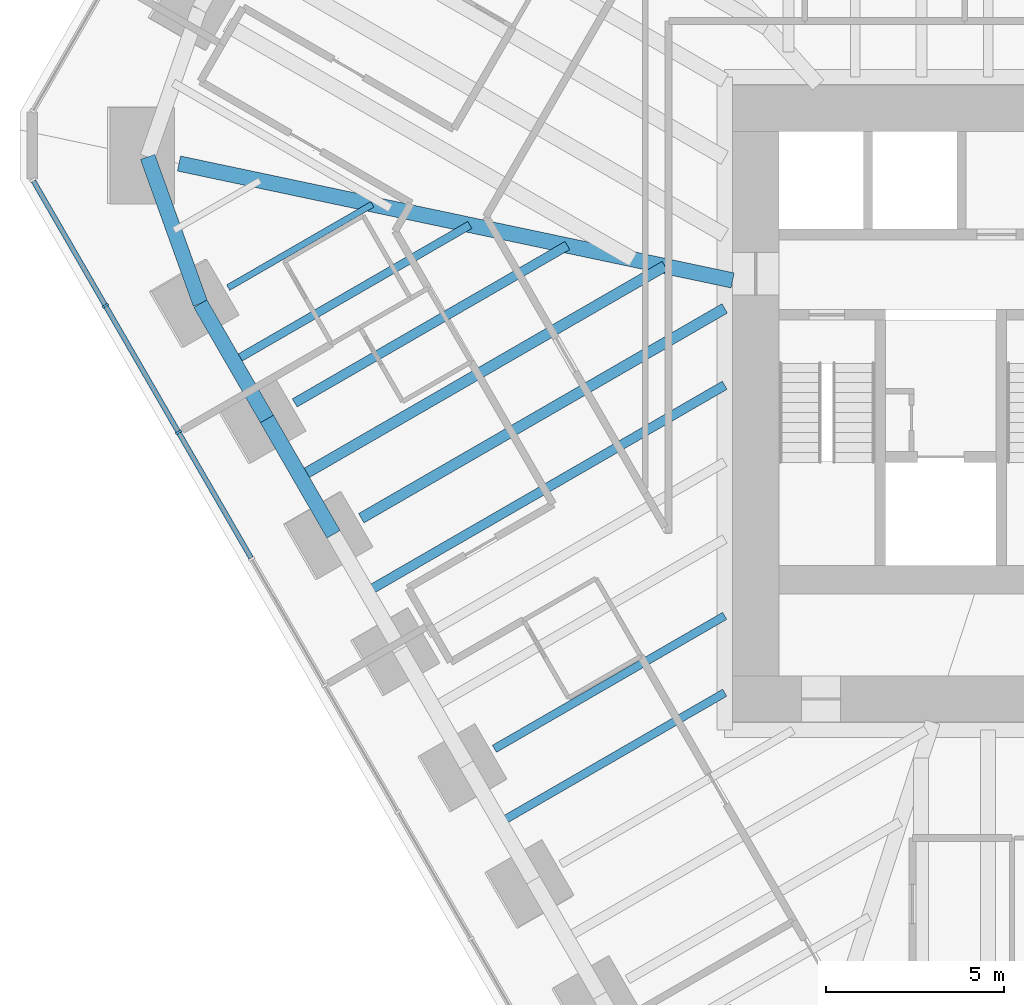
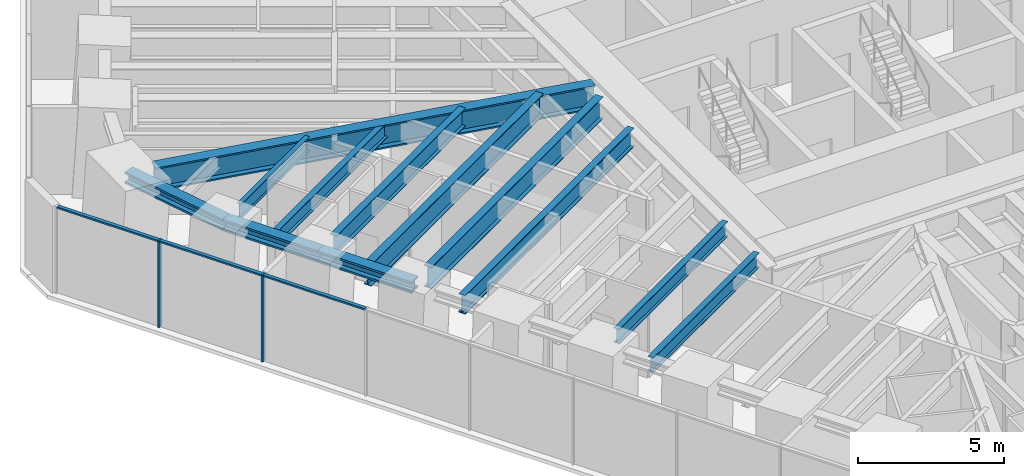
# One storey, part 3 of 17: 12 beams, 5 members, 1 element without a shape of its own.
"""IFC4 building model written with IfcOpenShell, lengths in metres."""

import ifcopenshell
import ifcopenshell.guid

model = None  # the IFC model being written
_history = None  # IfcOwnerHistory: only IFC2X3 demands one
_inside = {}  # id of a spatial element -> (the spatial element, [elements in it])
_under = {}  # id of a project, library or spatial element -> (it, [spatial elements below it])
_declared = {}  # id of a project -> (the project, [libraries it declares])
_typed = {}  # id of a type object -> (the type object, [elements of that type])
_made_of = {}  # id of a material, layer set ... -> (it, [elements and type objects made of it])


def new_model(schema):
    """Start an empty IFC model of exactly this schema.

    Asked for "IFC4X3", IfcOpenShell would pick the latest addendum, in which some entities
    have other attributes; the version numbers below select the first issue.
    IFC2X3 requires an IfcOwnerHistory on every rooted entity: one is made here for all.
    """
    global model, _history
    if schema == "IFC4X3":
        model = ifcopenshell.file(schema_version=(4, 3, 0, 0))
    else:
        model = ifcopenshell.file(schema=schema)
    _inside.clear()
    _under.clear()
    _declared.clear()
    _typed.clear()
    _made_of.clear()
    _history = None
    if model.schema == "IFC2X3":
        org = make("IfcOrganization", Name="unknown")
        user = make(
            "IfcPersonAndOrganization",
            ThePerson=make("IfcPerson", FamilyName="unknown"),
            TheOrganization=org,
        )
        app = make(
            "IfcApplication",
            ApplicationDeveloper=org,
            Version="unknown",
            ApplicationFullName="unknown",
            ApplicationIdentifier="unknown",
        )
        _history = make(
            "IfcOwnerHistory",
            OwningUser=user,
            OwningApplication=app,
            ChangeAction="ADDED",
            CreationDate=0,
        )
    return model


def make(cls, **values):
    """One entity of the class cls with the attributes given. An attribute that is None is left unset."""
    return model.create_entity(
        cls, **{name: value for name, value in values.items() if value is not None}
    )


def rooted(cls, **values):
    """An entity with a GlobalId (a new one), such as an element, a storey or a relation."""
    return make(cls, GlobalId=ifcopenshell.guid.new(), OwnerHistory=_history, **values)


def si_unit(unit_type, name, prefix=None):
    """IfcSIUnit, for example si_unit("LENGTHUNIT", "METRE", prefix="MILLI")."""
    return make("IfcSIUnit", UnitType=unit_type, Prefix=prefix, Name=name)


def assignment(units):
    """IfcUnitAssignment: the units of a project."""
    return None if units is None else make("IfcUnitAssignment", Units=units)


def point(xyz):
    """IfcCartesianPoint."""
    return None if xyz is None else make("IfcCartesianPoint", Coordinates=xyz)


def direction(xyz):
    """IfcDirection."""
    return None if xyz is None else make("IfcDirection", DirectionRatios=xyz)


def frame(location, z_axis=None, x_axis=None):
    """IfcAxis2Placement3D, a coordinate frame: its origin and axes. An axis left out is left unset."""
    return make(
        "IfcAxis2Placement3D",
        Location=point(location),
        Axis=direction(z_axis),
        RefDirection=direction(x_axis),
    )


def frame_2d(location, x_axis=None):
    """IfcAxis2Placement2D, a coordinate frame in the plane: its origin and x axis."""
    return make(
        "IfcAxis2Placement2D", Location=point(location), RefDirection=direction(x_axis)
    )


def origin():
    """The frame at (0, 0, 0) with its axes left unset."""
    return frame((0.0, 0.0, 0.0))


def origin_2d():
    """The frame at (0, 0) in the plane with its x axis left unset."""
    return frame_2d((0.0, 0.0))


def place(relative_to, where):
    """IfcLocalPlacement: puts the frame where relative to a parent placement (None: the world)."""
    return make(
        "IfcLocalPlacement", PlacementRelTo=relative_to, RelativePlacement=where
    )


def context(
    kind, dimensions, precision=None, world=None, true_north=None, identifier=None
):
    """IfcGeometricRepresentationContext, for example the 3D "Model" context."""
    return make(
        "IfcGeometricRepresentationContext",
        ContextIdentifier=identifier,
        ContextType=kind,
        CoordinateSpaceDimension=dimensions,
        Precision=precision,
        WorldCoordinateSystem=world,
        TrueNorth=true_north,
    )


def subcontext(parent, identifier, kind, view, scale=None):
    """IfcGeometricRepresentationSubContext, for example "Body" below "Model"."""
    return make(
        "IfcGeometricRepresentationSubContext",
        ContextIdentifier=identifier,
        ContextType=kind,
        ParentContext=parent,
        TargetScale=scale,
        TargetView=view,
    )


def project(units=None, contexts=None):
    """IfcProject with its units and contexts."""
    return rooted(
        "IfcProject",
        Name="project",
        RepresentationContexts=contexts,
        UnitsInContext=assignment(units),
    )


def spatial(cls, under=None, at=None, **own):
    """A site, building, storey or space (cls), placed at a placement, below another one or the project."""
    s = rooted(cls, ObjectPlacement=at, **own)
    if under is not None:
        _under.setdefault(under.id(), (under, []))[1].append(s)
    return s


def profile(cls, at=None, kind="AREA", **sizes):
    """A parametric profile (cls). Its sizes go by their IFC names, for example OverallWidth=200.0."""
    return make(cls, ProfileType=kind, Position=at, **sizes)


def rectangle(**sizes):
    """IfcRectangleProfileDef."""
    return profile("IfcRectangleProfileDef", **sizes)


def i_section(**sizes):
    """IfcIShapeProfileDef."""
    return profile("IfcIShapeProfileDef", **sizes)


def extrude(swept, where, along, depth):
    """IfcExtrudedAreaSolid: the profile swept, set in the frame where, extruded along a direction by depth."""
    return make(
        "IfcExtrudedAreaSolid",
        SweptArea=swept,
        Position=where,
        ExtrudedDirection=direction(along),
        Depth=depth,
    )


def shape(context_of_items, identifier, shape_type, items):
    """IfcShapeRepresentation: the items that make up one representation, for example the "Body"."""
    return make(
        "IfcShapeRepresentation",
        ContextOfItems=context_of_items,
        RepresentationIdentifier=identifier,
        RepresentationType=shape_type,
        Items=items,
    )


def material(Name=None, Category=None):
    """IfcMaterial."""
    return make("IfcMaterial", Name=Name, Category=Category)


def material_profile(
    of_material, cross_section, Name=None, Category=None, Priority=None
):
    """IfcMaterialProfile: a cross section and its material."""
    return make(
        "IfcMaterialProfile",
        Name=Name,
        Material=of_material,
        Profile=cross_section,
        Priority=Priority,
        Category=Category,
    )


def profile_set(profiles, Name=None, composite=None):
    """IfcMaterialProfileSet."""
    return make(
        "IfcMaterialProfileSet",
        Name=Name,
        MaterialProfiles=profiles,
        CompositeProfile=composite,
    )


def made_of(thing, what):
    """Note that an element or type object is made of a material, layer set ...; save() writes the relation."""
    if what is not None:
        _made_of.setdefault(what.id(), (what, []))[1].append(thing)
    return thing


def type_object(cls, material=None, **own):
    """A type object (cls), such as IfcWallType, which elements share."""
    return made_of(rooted(cls, **own), material)


def element(
    cls,
    number,
    at=None,
    inside=None,
    cuts=None,
    type_object=None,
    material=None,
    context=None,
    identifier="Body",
    shape_type=None,
    held_by="IfcProductDefinitionShape",
    body=None,
    shapes=None,
    **own,
):
    """One element of the class cls, such as IfcWall. Its Tag is "e" and its number.

    at: its placement. inside: the storey or other place that contains it. cuts: it is an
    opening in that element (IfcRelVoidsElement). A single representation is given by context,
    identifier, shape_type and body (its items); several are given by shapes. held_by: the class
    of the entity that holds the representations. save() writes the other relations.
    """
    e = rooted(cls, Tag="e%d" % number, ObjectPlacement=at, **own)
    if body is not None:
        shapes = [shape(context, identifier, shape_type, body)]
    if shapes is not None:
        e.Representation = make(held_by, Representations=shapes)
    if inside is not None:
        _inside.setdefault(inside.id(), (inside, []))[1].append(e)
    if cuts is not None:
        rooted(
            "IfcRelVoidsElement", RelatingBuildingElement=cuts, RelatedOpeningElement=e
        )
    if type_object is not None:
        _typed.setdefault(type_object.id(), (type_object, []))[1].append(e)
    return made_of(e, material)


def aggregate(whole, parts):
    """IfcRelAggregates: a whole, such as a stair, and the parts it consists of."""
    return rooted("IfcRelAggregates", RelatingObject=whole, RelatedObjects=parts)


def save(model, path):
    """Write the relations noted so far, then the file.

    IfcRelAggregates (storeys below a building ...), IfcRelContainedInSpatialStructure (elements
    in a storey), IfcRelDefinesByType, IfcRelAssociatesMaterial and IfcRelDeclares: one each for
    every whole, place, type object, material and project.
    """
    for whole, parts in _under.values():
        aggregate(whole, parts)
    for where, things in _inside.values():
        rooted(
            "IfcRelContainedInSpatialStructure",
            RelatedElements=things,
            RelatingStructure=where,
        )
    for kind, things in _typed.values():
        rooted("IfcRelDefinesByType", RelatedObjects=things, RelatingType=kind)
    for what, things in _made_of.values():
        rooted("IfcRelAssociatesMaterial", RelatedObjects=things, RelatingMaterial=what)
    for by, libraries in _declared.values():
        rooted("IfcRelDeclares", RelatingContext=by, RelatedDefinitions=libraries)
    model.write(path)


model = new_model("IFC4")

# Units and contexts
model_context = context("Model", 3, precision=1e-05, world=origin(), true_north=direction((0.0, 1.0)))
body_context = subcontext(model_context, "Body", "Model", "MODEL_VIEW")
ifc_project = project(units=[si_unit("LENGTHUNIT", "METRE"), si_unit("AREAUNIT", "SQUARE_METRE"), si_unit("VOLUMEUNIT", "CUBIC_METRE"), si_unit("PLANEANGLEUNIT", "RADIAN"), si_unit("MASSUNIT", "GRAM", prefix="KILO")], contexts=[model_context])

# Site, building, storey
site_placement = place(None, origin())
site = spatial("IfcSite", under=ifc_project, at=site_placement, CompositionType="ELEMENT")
building_placement = place(site_placement, origin())
building = spatial("IfcBuilding", under=site, at=building_placement, Name="Sandreach Pilgrim Tower", CompositionType="ELEMENT")
storey_placement = place(building_placement, frame((0.0, 0.0, 169.0)))
storey = spatial("IfcBuildingStorey", under=building, at=storey_placement, Name="L42", CompositionType="ELEMENT", Elevation=169.0)

# Beams
ifc_material_1 = material(Name="Steel ASTM A913 Grade 65", Category="steel")
ifc_material_profile_1 = material_profile(ifc_material_1, i_section(OverallWidth=0.4267578125, OverallDepth=0.482666015625, WebThickness=0.05126953125, FlangeThickness=0.08154296875, at=origin_2d()), Name="W14X455")
ifc_profile_set_1 = profile_set([ifc_material_profile_1], Name="Steel ASTM A913 Grade 65")
beam_type_1 = type_object("IfcBeamType", Name="Belt truss chord W14X455", PredefinedType="BEAM", material=ifc_profile_set_1)
beam_1_placement = place(storey_placement, frame((-20.260009765625, -5.219482421875, 3.398681640625), z_axis=(-0.500042659475, 0.866000772924, 0.0), x_axis=(-0.866000772924, -0.500042659475, 0.0)))
element("IfcBeam", 1, at=beam_1_placement, inside=storey, type_object=beam_type_1, Name="BM L42 BTB32", PredefinedType="BEAM", context=body_context, shape_type="SweptSolid", body=[
    extrude(i_section(OverallWidth=0.4267578125, OverallDepth=0.482666015625, WebThickness=0.05126953125, FlangeThickness=0.08154296875, at=origin_2d()), origin(), (0.0, 0.0, 1.0), 3.739990234375),
])
beam_2_placement = place(storey_placement, frame((-22.130126953125, -1.980712890625, 3.398681640625), z_axis=(-0.499993700073, 0.866029041019, 0.0), x_axis=(-0.866029041019, -0.499993700073, 0.0)))
element("IfcBeam", 2, at=beam_2_placement, inside=storey, type_object=beam_type_1, Name="BM L42 BTB33", PredefinedType="BEAM", context=body_context, shape_type="SweptSolid", body=[
    extrude(i_section(OverallWidth=0.4267578125, OverallDepth=0.482666015625, WebThickness=0.05126953125, FlangeThickness=0.08154296875, at=origin_2d()), origin(), (0.0, 0.0, 1.0), 3.73974609375),
])
beam_3_placement = place(storey_placement, frame((-24.0, 1.258056640625, 3.398681640625), z_axis=(-0.338362224063, 0.941015943184, 0.0), x_axis=(-0.941015943184, -0.338362224063, 0.0)))
element("IfcBeam", 3, at=beam_3_placement, inside=storey, type_object=beam_type_1, Name="BM L42 BTB34", PredefinedType="BEAM", context=body_context, shape_type="SweptSolid", body=[
    extrude(i_section(OverallWidth=0.4267578125, OverallDepth=0.482666015625, WebThickness=0.05126953125, FlangeThickness=0.08154296875, at=origin_2d()), origin(), (0.0, 0.0, 1.0), 4.38037109375),
])

# Curtain wall, members
ifc_material_2 = material(Name="Aluminium framed curtain wall", Category="aluminium")
curtain_wall_type = type_object("IfcCurtainWallType", Name="Hotel tower curtain wall", PredefinedType="NOTDEFINED", material=ifc_material_2)
curtain_wall_placement = place(storey_placement, origin())
curtain_wall = element("IfcCurtainWall", 4, at=curtain_wall_placement, inside=storey, type_object=curtain_wall_type, Name="CW-2 L42 SW", PredefinedType="NOTDEFINED")
ifc_material_3 = material(Name="Aluminium extrusion", Category="aluminium")
ifc_material_profile_2 = material_profile(ifc_material_3, rectangle(XDim=0.06494140625, YDim=0.179931640625, at=origin_2d()), Name="CW-2M 65X180")
ifc_profile_set_2 = profile_set([ifc_material_profile_2], Name="Aluminium extrusion")
member_type_1 = type_object("IfcMemberType", Name="CW-2 mullion", PredefinedType="MULLION", material=ifc_profile_set_2)
member_1_placement = place(storey_placement, frame((-24.614013671875, -2.35498046875, 0.0), z_axis=(0.0, 0.0, 1.0), x_axis=(-0.5, 0.866025403784, 0.0)))
member_1 = element("IfcMember", 5, at=member_1_placement, type_object=member_type_1, Name="CW-2 mullion 8", PredefinedType="MULLION", context=body_context, shape_type="SweptSolid", body=[
    extrude(rectangle(XDim=0.06494140625, YDim=0.179931640625, at=origin_2d()), origin(), (0.0, 0.0, 1.0), 3.639892578125),
])
member_2_placement = place(storey_placement, frame((-26.66748046875, 1.20166015625, 0.0), z_axis=(0.0, 0.0, 1.0), x_axis=(-0.5, 0.866025403784, 0.0)))
member_2 = element("IfcMember", 6, at=member_2_placement, type_object=member_type_1, Name="CW-2 mullion 9", PredefinedType="MULLION", context=body_context, shape_type="SweptSolid", body=[
    extrude(rectangle(XDim=0.06494140625, YDim=0.179931640625, at=origin_2d()), origin(), (0.0, 0.0, 1.0), 3.639892578125),
])
ifc_material_4 = material(Name="Aluminium extrusion", Category="aluminium")
ifc_material_profile_3 = material_profile(ifc_material_4, rectangle(XDim=0.139892578125, YDim=0.070068359375, at=origin_2d()), Name="CW-2T 140X70")
ifc_profile_set_3 = profile_set([ifc_material_profile_3], Name="Aluminium extrusion")
member_type_2 = type_object("IfcMemberType", Name="CW-2 transom", PredefinedType="USERDEFINED", material=ifc_profile_set_3)
member_3_placement = place(storey_placement, frame((-22.57666015625, -5.883544921875, 3.60498046875), z_axis=(-0.500023973715, 0.866011562111, 0.0), x_axis=(-0.866011562111, -0.500023973715, 0.0)))
member_3 = element("IfcMember", 7, at=member_3_placement, type_object=member_type_2, Name="CW-2 head transom 7", ObjectType="TRANSOM", PredefinedType="USERDEFINED", context=body_context, shape_type="SweptSolid", body=[
    extrude(rectangle(XDim=0.139892578125, YDim=0.070068359375, at=origin_2d()), origin(), (0.0, 0.0, 1.0), 4.041748046875),
])
member_4_placement = place(storey_placement, frame((-24.630126953125, -2.326904296875, 3.60498046875), z_axis=(-0.499997818338, 0.866026663364, 0.0), x_axis=(-0.866026663364, -0.499997818338, 0.0)))
member_4 = element("IfcMember", 8, at=member_4_placement, type_object=member_type_2, Name="CW-2 head transom 8", ObjectType="TRANSOM", PredefinedType="USERDEFINED", context=body_context, shape_type="SweptSolid", body=[
    extrude(rectangle(XDim=0.139892578125, YDim=0.070068359375, at=origin_2d()), origin(), (0.0, 0.0, 1.0), 4.0419921875),
])
member_5_placement = place(storey_placement, frame((-26.68359375, 1.229736328125, 3.60498046875), z_axis=(-0.500015851672, 0.866016251624, 0.0), x_axis=(-0.866016251624, -0.500015851672, 0.0)))
member_5 = element("IfcMember", 9, at=member_5_placement, type_object=member_type_2, Name="CW-2 head transom 9", ObjectType="TRANSOM", PredefinedType="USERDEFINED", context=body_context, shape_type="SweptSolid", body=[
    extrude(rectangle(XDim=0.139892578125, YDim=0.070068359375, at=origin_2d()), origin(), (0.0, 0.0, 1.0), 4.009521484375),
])
aggregate(curtain_wall, [member_1, member_2, member_3, member_4, member_5])

# Beams
ifc_material_5 = material(Name="Steel ASTM A992 Grade 50", Category="steel")
ifc_material_profile_4 = material_profile(ifc_material_5, i_section(OverallWidth=0.431884765625, OverallDepth=0.988037109375, WebThickness=0.034423828125, FlangeThickness=0.06201171875, at=origin_2d()), Name="W36X441")
ifc_profile_set_4 = profile_set([ifc_material_profile_4], Name="Steel ASTM A992 Grade 50")
beam_type_2 = type_object("IfcBeamType", Name="Corner girder W36X441", PredefinedType="BEAM", material=ifc_profile_set_4)
beam_4_placement = place(storey_placement, frame((-24.6015625, 5.194091796875, 3.14599609375), z_axis=(0.9784298344, -0.206579425781, 0.0), x_axis=(0.206579425781, 0.9784298344, 0.0)))
element("IfcBeam", 10, at=beam_4_placement, inside=storey, type_object=beam_type_2, Name="BM L42 CG35", PredefinedType="BEAM", context=body_context, shape_type="SweptSolid", body=[
    extrude(i_section(OverallWidth=0.431884765625, OverallDepth=0.988037109375, WebThickness=0.034423828125, FlangeThickness=0.06201171875, at=origin_2d()), origin(), (0.0, 0.0, 1.0), 15.894287109375),
])
ifc_material_6 = material(Name="Steel ASTM A992 Grade 50", Category="steel")
ifc_material_profile_5 = material_profile(ifc_material_6, i_section(OverallWidth=0.1787109375, OverallDepth=0.60205078125, WebThickness=0.010986328125, FlangeThickness=0.014892578125, at=origin_2d()), Name="W24X62")
ifc_profile_set_5 = profile_set([ifc_material_profile_5], Name="Steel ASTM A992 Grade 50")
beam_type_3 = type_object("IfcBeamType", Name="Floor beam W24X62", PredefinedType="BEAM", material=ifc_profile_set_5)
beam_5_placement = place(storey_placement, frame((-23.220458984375, 1.708251953125, 3.339111328125), z_axis=(0.866037841179, 0.499978457183, 0.0), x_axis=(-0.499978457183, 0.866037841179, 0.0)))
element("IfcBeam", 11, at=beam_5_placement, inside=storey, type_object=beam_type_3, Name="BM L42 F34", PredefinedType="BEAM", context=body_context, shape_type="SweptSolid", body=[
    extrude(i_section(OverallWidth=0.1787109375, OverallDepth=0.60205078125, WebThickness=0.010986328125, FlangeThickness=0.014892578125, at=origin_2d()), origin(), (0.0, 0.0, 1.0), 4.677978515625),
])
ifc_material_7 = material(Name="Steel ASTM A992 Grade 50", Category="steel")
ifc_material_profile_6 = material_profile(ifc_material_7, i_section(OverallWidth=0.23046875, OverallDepth=0.6171875, WebThickness=0.01318359375, FlangeThickness=0.022216796875, at=origin_2d()), Name="W24X94")
ifc_profile_set_6 = profile_set([ifc_material_profile_6], Name="Steel ASTM A992 Grade 50")
beam_type_4 = type_object("IfcBeamType", Name="Floor beam W24X94", PredefinedType="BEAM", material=ifc_profile_set_6)
beam_6_placement = place(storey_placement, frame((-15.74072265625, -11.2470703125, 3.331298828125), z_axis=(0.866032094379, 0.499988411372, 0.0), x_axis=(-0.499988411372, 0.866032094379, 0.0)))
element("IfcBeam", 12, at=beam_6_placement, inside=storey, type_object=beam_type_4, Name="BM L42 F30", PredefinedType="BEAM", context=body_context, shape_type="SweptSolid", body=[
    extrude(i_section(OverallWidth=0.23046875, OverallDepth=0.6171875, WebThickness=0.01318359375, FlangeThickness=0.022216796875, at=origin_2d()), origin(), (0.0, 0.0, 1.0), 7.469482421875),
])
beam_7_placement = place(storey_placement, frame((-15.585205078125, -13.316650390625, 3.331298828125), z_axis=(0.866021062117, 0.500007519912, 0.0), x_axis=(-0.500007519912, 0.866021062117, 0.0)))
element("IfcBeam", 13, at=beam_7_placement, inside=storey, type_object=beam_type_4, Name="BM L42 FM29", PredefinedType="BEAM", context=body_context, shape_type="SweptSolid", body=[
    extrude(i_section(OverallWidth=0.23046875, OverallDepth=0.6171875, WebThickness=0.01318359375, FlangeThickness=0.022216796875, at=origin_2d()), origin(), (0.0, 0.0, 1.0), 7.2900390625),
])
beam_8_placement = place(storey_placement, frame((-23.06494140625, -0.361328125, 3.331298828125), z_axis=(0.866024247554, 0.500002002645, 0.0), x_axis=(-0.500002002645, 0.866024247554, 0.0)))
element("IfcBeam", 14, at=beam_8_placement, inside=storey, type_object=beam_type_4, Name="BM L42 FM33", PredefinedType="BEAM", context=body_context, shape_type="SweptSolid", body=[
    extrude(i_section(OverallWidth=0.23046875, OverallDepth=0.6171875, WebThickness=0.01318359375, FlangeThickness=0.022216796875, at=origin_2d()), origin(), (0.0, 0.0, 1.0), 7.66064453125),
])
ifc_material_8 = material(Name="Steel ASTM A992 Grade 50", Category="steel")
ifc_material_profile_7 = material_profile(ifc_material_8, i_section(OverallWidth=0.2666015625, OverallDepth=0.761962890625, WebThickness=0.014404296875, FlangeThickness=0.021484375, at=origin_2d()), Name="W30X116")
ifc_profile_set_7 = profile_set([ifc_material_profile_7], Name="Steel ASTM A992 Grade 50")
beam_type_5 = type_object("IfcBeamType", Name="Floor beam W30X116", PredefinedType="BEAM", material=ifc_profile_set_7)
beam_9_placement = place(storey_placement, frame((-21.3505859375, -1.53076171875, 3.259033203125), z_axis=(0.866024215439, 0.500002058268, 0.0), x_axis=(-0.500002058268, 0.866024215439, 0.0)))
element("IfcBeam", 15, at=beam_9_placement, inside=storey, type_object=beam_type_5, Name="BM L42 F33", PredefinedType="BEAM", context=body_context, shape_type="SweptSolid", body=[
    extrude(i_section(OverallWidth=0.2666015625, OverallDepth=0.761962890625, WebThickness=0.014404296875, FlangeThickness=0.021484375, at=origin_2d()), origin(), (0.0, 0.0, 1.0), 8.84326171875),
])
ifc_material_9 = material(Name="Steel ASTM A992 Grade 50", Category="steel")
ifc_material_profile_8 = material_profile(ifc_material_9, i_section(OverallWidth=0.2666015625, OverallDepth=0.77978515625, WebThickness=0.0166015625, FlangeThickness=0.030029296875, at=origin_2d()), Name="W30X148")
ifc_profile_set_8 = profile_set([ifc_material_profile_8], Name="Steel ASTM A992 Grade 50")
beam_type_6 = type_object("IfcBeamType", Name="Floor beam W30X148", PredefinedType="BEAM", material=ifc_profile_set_8)
beam_10_placement = place(storey_placement, frame((-19.3251953125, -6.8388671875, 3.25), z_axis=(0.866035688809, 0.499982185392, 0.0), x_axis=(-0.499982185392, 0.866035688809, 0.0)))
element("IfcBeam", 16, at=beam_10_placement, inside=storey, type_object=beam_type_6, Name="BM L42 FM31", PredefinedType="BEAM", context=body_context, shape_type="SweptSolid", body=[
    extrude(i_section(OverallWidth=0.2666015625, OverallDepth=0.77978515625, WebThickness=0.0166015625, FlangeThickness=0.030029296875, at=origin_2d()), origin(), (0.0, 0.0, 1.0), 11.6083984375),
])
ifc_material_10 = material(Name="Steel ASTM A992 Grade 50", Category="steel")
ifc_material_profile_9 = material_profile(ifc_material_10, i_section(OverallWidth=0.3046875, OverallDepth=0.914306640625, WebThickness=0.0166015625, FlangeThickness=0.02587890625, at=origin_2d()), Name="W36X160")
ifc_profile_set_9 = profile_set([ifc_material_profile_9], Name="Steel ASTM A992 Grade 50")
beam_type_7 = type_object("IfcBeamType", Name="Floor beam W36X160", PredefinedType="BEAM", material=ifc_profile_set_9)
beam_11_placement = place(storey_placement, frame((-19.480712890625, -4.76953125, 3.182861328125), z_axis=(0.866024520484, 0.500001529918, 0.0), x_axis=(-0.500001529918, 0.866024520484, 0.0)))
element("IfcBeam", 17, at=beam_11_placement, inside=storey, type_object=beam_type_7, Name="BM L42 F32", PredefinedType="BEAM", context=body_context, shape_type="SweptSolid", body=[
    extrude(i_section(OverallWidth=0.3046875, OverallDepth=0.914306640625, WebThickness=0.0166015625, FlangeThickness=0.02587890625, at=origin_2d()), origin(), (0.0, 0.0, 1.0), 11.7880859375),
])
beam_12_placement = place(storey_placement, frame((-21.195068359375, -3.60009765625, 3.182861328125), z_axis=(0.866022624374, 0.500004814049, 0.0), x_axis=(-0.500004814049, 0.866022624374, 0.0)))
element("IfcBeam", 18, at=beam_12_placement, inside=storey, type_object=beam_type_7, Name="BM L42 FM32", PredefinedType="BEAM", context=body_context, shape_type="SweptSolid", body=[
    extrude(i_section(OverallWidth=0.3046875, OverallDepth=0.914306640625, WebThickness=0.0166015625, FlangeThickness=0.02587890625, at=origin_2d()), origin(), (0.0, 0.0, 1.0), 11.82568359375),
])

save(model, "model.ifc")
